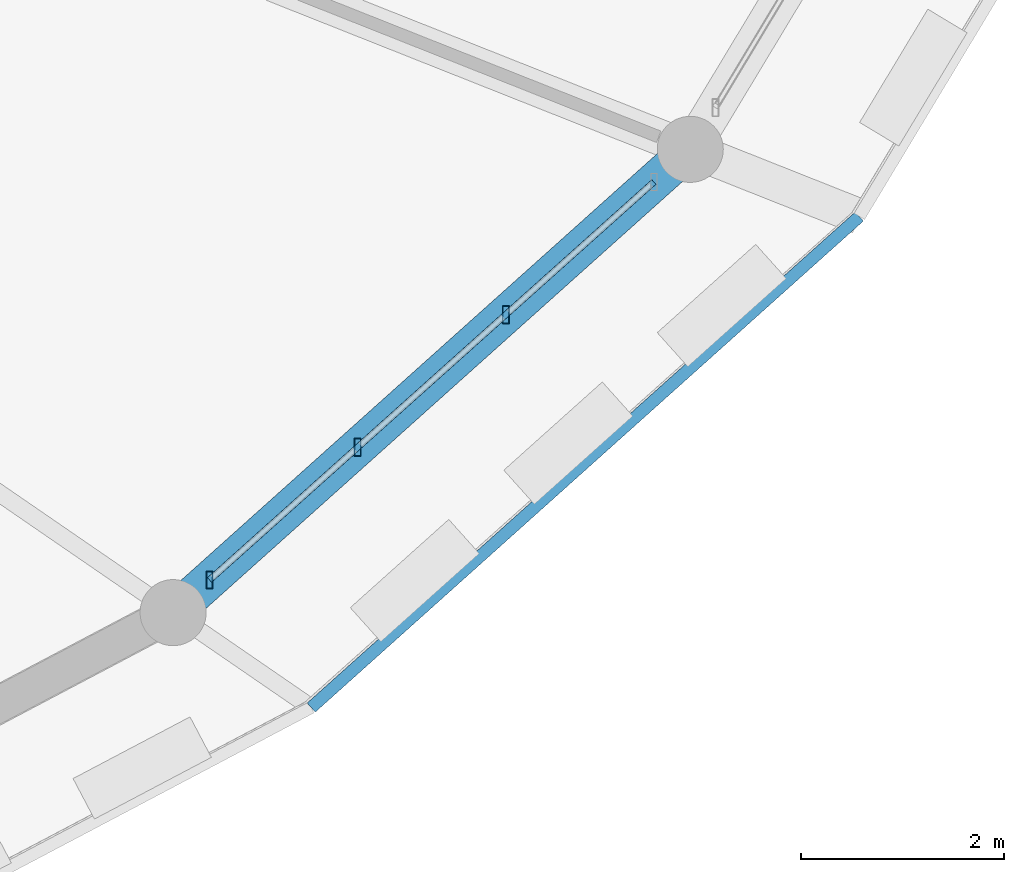
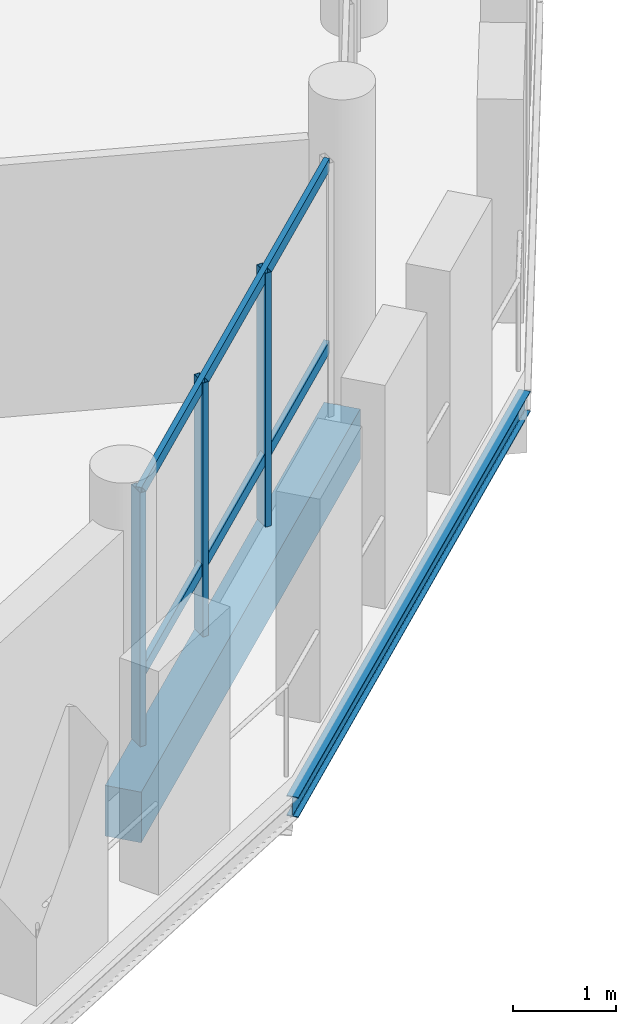
# One storey, part 31 of 93: 5 members, 2 beams, 1 element without a shape of its own.
"""IFC4 building model written with IfcOpenShell, lengths in metres."""

from ifc_helpers import new_model, si_unit, direction, frame, origin, origin_2d, place, context, subcontext, project, spatial, rectangle, hollow_rectangle, i_section, extrude, material, material_profile, profile_set, type_object, element, aggregate, save


model = new_model("IFC4")

# Units and contexts
model_context = context("Model", 3, precision=1e-05, world=origin(), true_north=direction((0.0, 1.0)))
body_context = subcontext(model_context, "Body", "Model", "MODEL_VIEW")
ifc_project = project(units=[si_unit("LENGTHUNIT", "METRE"), si_unit("AREAUNIT", "SQUARE_METRE"), si_unit("VOLUMEUNIT", "CUBIC_METRE"), si_unit("PLANEANGLEUNIT", "RADIAN"), si_unit("MASSUNIT", "GRAM", prefix="KILO")], contexts=[model_context])

# Site, building, storey
site_placement = place(None, origin())
site = spatial("IfcSite", under=ifc_project, at=site_placement, CompositionType="ELEMENT")
building_placement = place(site_placement, origin())
building = spatial("IfcBuilding", under=site, at=building_placement, Name="Zornivar Specialist Clinic", CompositionType="ELEMENT")
storey_placement = place(building_placement, frame((0.0, 0.0, 8.39990234375)))
storey = spatial("IfcBuildingStorey", under=building, at=storey_placement, Name="L02", CompositionType="ELEMENT", Elevation=8.39990234375)

# Beams
ifc_material_1 = material(Name="Concrete C30/37", Category="concrete")
ifc_material_profile_1 = material_profile(ifc_material_1, rectangle(XDim=0.3701171875, YDim=0.60009765625, at=origin_2d()), Name="RC 370x600")
ifc_profile_set_1 = profile_set([ifc_material_profile_1], Name="Concrete C30/37")
beam_type_1 = type_object("IfcBeamType", Name="BM-RC-SPANDREL-370x600", PredefinedType="SPANDREL", material=ifc_profile_set_1)
beam_1_placement = place(storey_placement, frame((116.22705078125, 42.0439453125, -0.539794921875), z_axis=(0.744835335723, 0.667248321585, 0.0), x_axis=(-0.667248321585, 0.744835335723, 0.0)))
element("IfcBeam", 1, at=beam_1_placement, inside=storey, type_object=beam_type_1, Name="bm:V1:L02:outring:21", PredefinedType="SPANDREL", context=body_context, shape_type="SweptSolid", body=[
    extrude(rectangle(XDim=0.3701171875, YDim=0.60009765625, at=origin_2d()), origin(), (0.0, 0.0, 1.0), 6.828369140625),
])
ifc_material_2 = material(Name="Steel S355J2", Category="steel")
ifc_material_profile_2 = material_profile(ifc_material_2, i_section(OverallWidth=0.1201171875, OverallDepth=0.239990234375, WebThickness=0.006103515625, FlangeThickness=0.009765625, FilletRadius=0.014892578125, at=origin_2d()), Name="IPE 240")
ifc_profile_set_2 = profile_set([ifc_material_profile_2], Name="Steel S355J2")
beam_type_2 = type_object("IfcBeamType", Name="BM-STL-IPE240", PredefinedType="JOIST", material=ifc_profile_set_2)
beam_2_placement = place(storey_placement, frame((117.5849609375, 41.110107421875, -0.35986328125), z_axis=(0.744815079805, 0.667270932152, 0.0), x_axis=(-0.667270932152, 0.744815079805, 0.0)))
element("IfcBeam", 2, at=beam_2_placement, inside=storey, type_object=beam_type_2, Name="bm:V1:L02:balring:21", PredefinedType="JOIST", context=body_context, shape_type="SweptSolid", body=[
    extrude(i_section(OverallWidth=0.1201171875, OverallDepth=0.239990234375, WebThickness=0.006103515625, FlangeThickness=0.009765625, FilletRadius=0.014892578125, at=origin_2d()), origin(), (0.0, 0.0, 1.0), 7.23828125),
])

# Curtain wall, members
ifc_material_3 = material(Name="Aluminium and Low-E Glass Curtain Wall", Category="aluminium")
curtain_wall_type = type_object("IfcCurtainWallType", Name="CW-DRUM-FACET", PredefinedType="NOTDEFINED", material=ifc_material_3)
curtain_wall_placement = place(storey_placement, origin())
curtain_wall = element("IfcCurtainWall", 3, at=curtain_wall_placement, inside=storey, type_object=curtain_wall_type, Name="cw:V1:L02:c21", PredefinedType="NOTDEFINED")
ifc_material_4 = material(Name="Aluminium AW-6060", Category="aluminium")
ifc_material_profile_3 = material_profile(ifc_material_4, hollow_rectangle(XDim=0.06494140625, YDim=0.175048828125, WallThickness=0.00439453125, at=origin_2d()), Name="ALU 65x175x4.5")
ifc_profile_set_3 = profile_set([ifc_material_profile_3], Name="Aluminium AW-6060")
member_type_1 = type_object("IfcMemberType", Name="CWM-MUL-175", PredefinedType="MULLION", material=ifc_profile_set_3)
member_1_placement = place(storey_placement, frame((116.5849609375, 42.364990234375, 0.0), z_axis=(0.0, 0.0, 1.0), x_axis=(1.0, 0.0, 0.0)))
member_1 = element("IfcMember", 4, at=member_1_placement, type_object=member_type_1, Name="cw:V1:L02:c21:mul:0", PredefinedType="MULLION", context=body_context, shape_type="SweptSolid", body=[
    extrude(hollow_rectangle(XDim=0.06494140625, YDim=0.175048828125, WallThickness=0.00439453125, at=origin_2d()), origin(), (0.0, 0.0, 1.0), 3.010009765625),
])
member_2_placement = place(storey_placement, frame((118.0419921875, 43.669921875, 0.0), z_axis=(0.0, 0.0, 1.0), x_axis=(1.0, 0.0, 0.0)))
member_2 = element("IfcMember", 5, at=member_2_placement, type_object=member_type_1, Name="cw:V1:L02:c21:mul:1", PredefinedType="MULLION", context=body_context, shape_type="SweptSolid", body=[
    extrude(hollow_rectangle(XDim=0.06494140625, YDim=0.175048828125, WallThickness=0.00439453125, at=origin_2d()), origin(), (0.0, 0.0, 1.0), 3.010009765625),
])
member_3_placement = place(storey_placement, frame((119.4990234375, 44.97509765625, 0.0), z_axis=(0.0, 0.0, 1.0), x_axis=(1.0, 0.0, 0.0)))
member_3 = element("IfcMember", 6, at=member_3_placement, type_object=member_type_1, Name="cw:V1:L02:c21:mul:2", PredefinedType="MULLION", context=body_context, shape_type="SweptSolid", body=[
    extrude(hollow_rectangle(XDim=0.06494140625, YDim=0.175048828125, WallThickness=0.00439453125, at=origin_2d()), origin(), (0.0, 0.0, 1.0), 3.010009765625),
])
ifc_material_5 = material(Name="Aluminium AW-6060", Category="aluminium")
ifc_material_profile_4 = material_profile(ifc_material_5, hollow_rectangle(XDim=0.06005859375, YDim=0.14501953125, WallThickness=0.00390625, at=origin_2d()), Name="ALU 60x145x4")
ifc_profile_set_4 = profile_set([ifc_material_profile_4], Name="Aluminium AW-6060")
member_type_2 = type_object("IfcMemberType", Name="CWM-TRN-145", PredefinedType="USERDEFINED", material=ifc_profile_set_4)
member_4_placement = place(storey_placement, frame((116.5849609375, 42.364990234375, 0.783203125), z_axis=(0.744905995643, 0.667169436991, 0.0), x_axis=(-0.667169436991, 0.744905995643, 0.0)))
member_4 = element("IfcMember", 7, at=member_4_placement, type_object=member_type_2, Name="cw:V1:L02:c21:trn:0", ObjectType="TRANSOM", PredefinedType="USERDEFINED", context=body_context, shape_type="SweptSolid", body=[
    extrude(hollow_rectangle(XDim=0.06005859375, YDim=0.14501953125, WallThickness=0.00390625, at=origin_2d()), origin(), (0.0, 0.0, 1.0), 5.86669921875),
])
member_5_placement = place(storey_placement, frame((116.5849609375, 42.364990234375, 2.945068359375), z_axis=(0.744905995643, 0.667169436991, 0.0), x_axis=(-0.667169436991, 0.744905995643, 0.0)))
member_5 = element("IfcMember", 8, at=member_5_placement, type_object=member_type_2, Name="cw:V1:L02:c21:trn:1", ObjectType="TRANSOM", PredefinedType="USERDEFINED", context=body_context, shape_type="SweptSolid", body=[
    extrude(hollow_rectangle(XDim=0.06005859375, YDim=0.14501953125, WallThickness=0.00390625, at=origin_2d()), origin(), (0.0, 0.0, 1.0), 5.86669921875),
])
aggregate(curtain_wall, [member_1, member_2, member_3, member_4, member_5])

save(model, "model.ifc")
